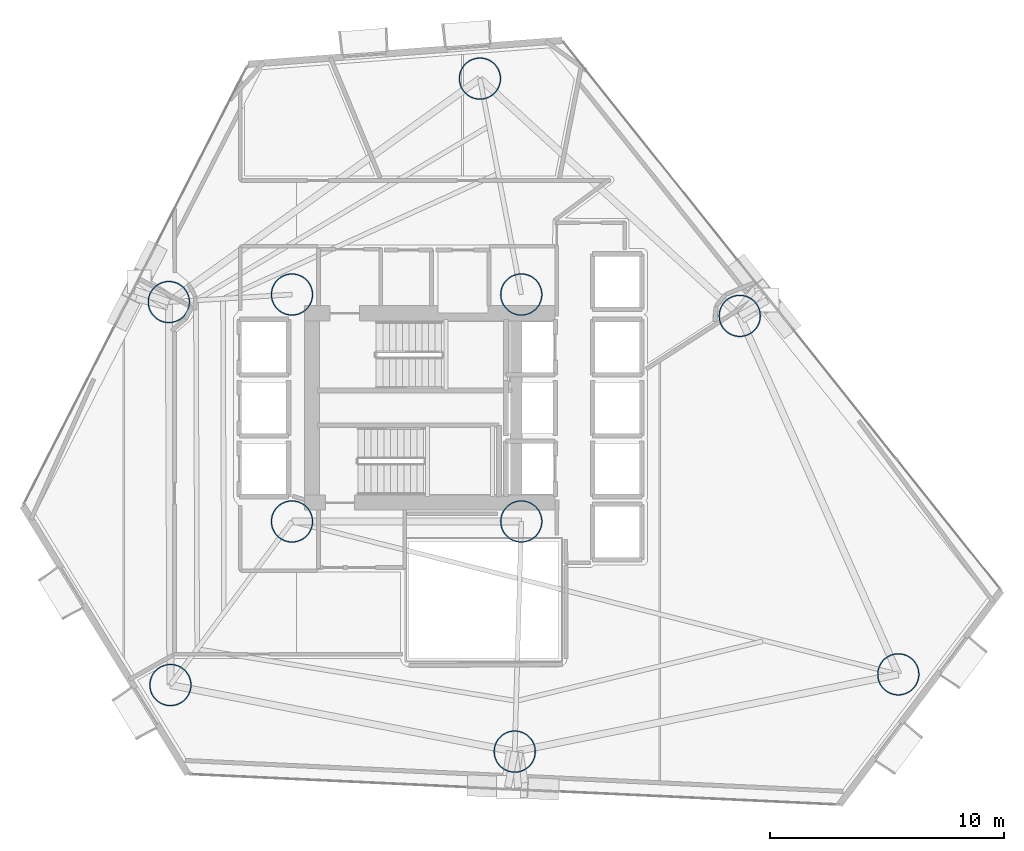
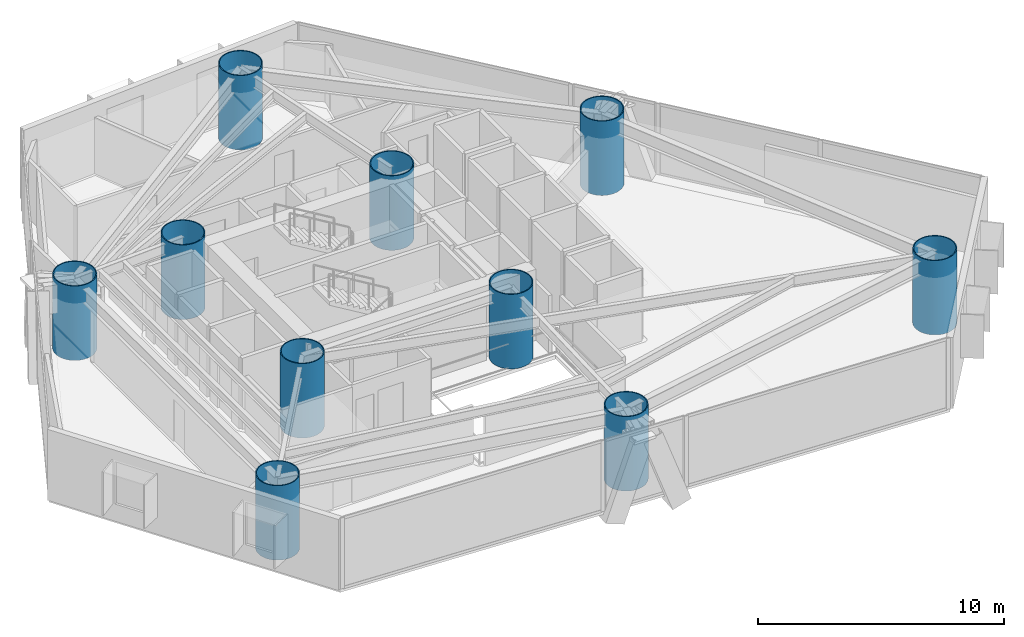
# One storey, part 1 of 23: 10 columns.
"""IFC4 building model written with IfcOpenShell, lengths in metres."""

from ifc_helpers import new_model, si_unit, direction, frame, origin, origin_2d, place, context, subcontext, project, spatial, hollow_circle, extrude, material, material_profile, profile_set, type_object, element, save


model = new_model("IFC4")

# Units and contexts
model_context = context("Model", 3, precision=1e-05, world=origin(), true_north=direction((0.0, 1.0)))
body_context = subcontext(model_context, "Body", "Model", "MODEL_VIEW")
ifc_project = project(units=[si_unit("LENGTHUNIT", "METRE"), si_unit("AREAUNIT", "SQUARE_METRE"), si_unit("VOLUMEUNIT", "CUBIC_METRE"), si_unit("PLANEANGLEUNIT", "RADIAN"), si_unit("MASSUNIT", "GRAM", prefix="KILO")], contexts=[model_context])

# Site, building, storey
site_placement = place(None, origin())
site = spatial("IfcSite", under=ifc_project, at=site_placement, CompositionType="ELEMENT")
building_placement = place(site_placement, origin())
building = spatial("IfcBuilding", under=site, at=building_placement, Name="Qianvela Tower", CompositionType="ELEMENT")
storey_placement = place(building_placement, frame((0.0, 0.0, 36.800048828125)))
storey = spatial("IfcBuildingStorey", under=building, at=storey_placement, Name="L08", CompositionType="ELEMENT", Elevation=36.800048828125)

# Columns
ifc_material = material(Name="Steel Q420GJC", Category="steel")
ifc_material_profile = material_profile(ifc_material, hollow_circle(Radius=0.89990234375, WallThickness=0.044921875, at=origin_2d()), Name="CFT-1800x45")
ifc_profile_set = profile_set([ifc_material_profile], Name="Steel Q420GJC")
column_type = type_object("IfcColumnType", Name="COL-CFT-1800x45", PredefinedType="COLUMN", material=ifc_profile_set)
for number, where, z_axis, x_axis, name in (
    (1, (28.60009765625, 33.550048828125, 0.0), (0.0, 0.0, 1.0), (1.0, 0.0, 0.0), "L08 Core Corner Mega-Column CC-NW"),
    (2, (28.60009765625, 23.85009765625, 0.0), (0.0, 0.0, 1.0), (1.0, 0.0, 0.0), "L08 Core Corner Mega-Column CC-SW"),
    (3, (38.39990234375, 33.550048828125, 0.0), (0.0, 0.0, 1.0), (1.0, 0.0, 0.0), "L08 Core Corner Mega-Column CC-NE"),
    (4, (38.39990234375, 23.85009765625, 0.0), (0.0, 0.0, 1.0), (1.0, 0.0, 0.0), "L08 Core Corner Mega-Column CC-SE"),
    (5, (54.511962890625, 17.31689453125, 0.0), (0.0, 0.0, 1.0), (1.0, 0.0, 0.0), "L08 Zone Z1 CFT Mega-Column C1"),
    (6, (47.736083984375, 32.636962890625, 0.0), (0.0, 0.0, 1.0), (1.0, 0.0, 0.0), "L08 Zone Z1 CFT Mega-Column C2"),
    (7, (36.632080078125, 42.778076171875, 0.0), (0.0, 0.0, 1.0), (1.0, 0.0, 0.0), "L08 Zone Z1 CFT Mega-Column C3"),
    (8, (23.337890625, 33.22802734375, 0.0), (0.0, 0.0, 1.0), (1.0, 0.0, 0.0), "L08 Zone Z1 CFT Mega-Column C4"),
    (9, (23.404052734375, 16.860107421875, 0.0), (0.0, 0.0, 1.0), (1.0, 0.0, 0.0), "L08 Zone Z1 CFT Mega-Column C5"),
    (10, (38.1201171875, 14.01611328125, 0.0), (0.0, 0.0, 1.0), (1.0, 0.0, 0.0), "L08 Zone Z1 CFT Mega-Column C6"),
):
    element("IfcColumn", number, at=place(storey_placement, frame(where, z_axis=z_axis, x_axis=x_axis)), inside=storey, type_object=column_type, Name=name, PredefinedType="COLUMN", context=body_context, shape_type="SweptSolid", body=[
        extrude(hollow_circle(Radius=0.89990234375, WallThickness=0.044921875, at=origin_2d()), origin(), (0.0, 0.0, 1.0), 3.699951171875),
    ])

save(model, "model.ifc")
